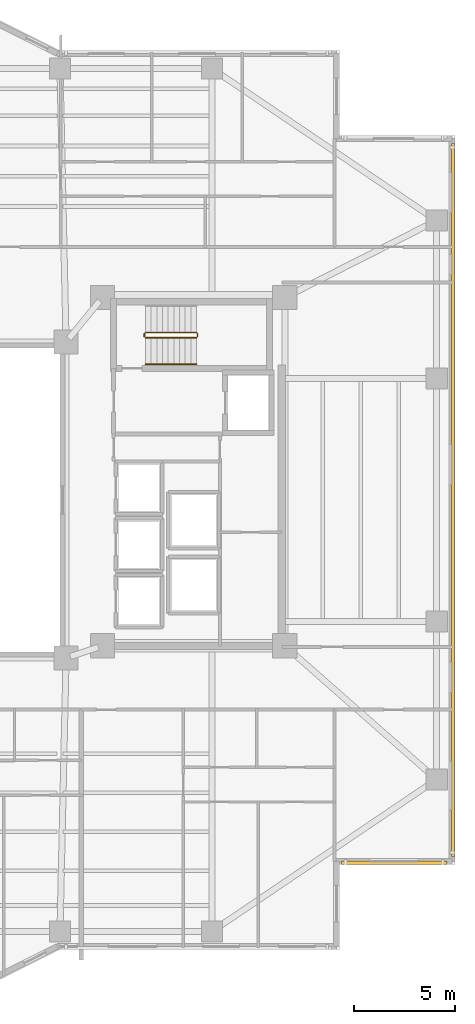
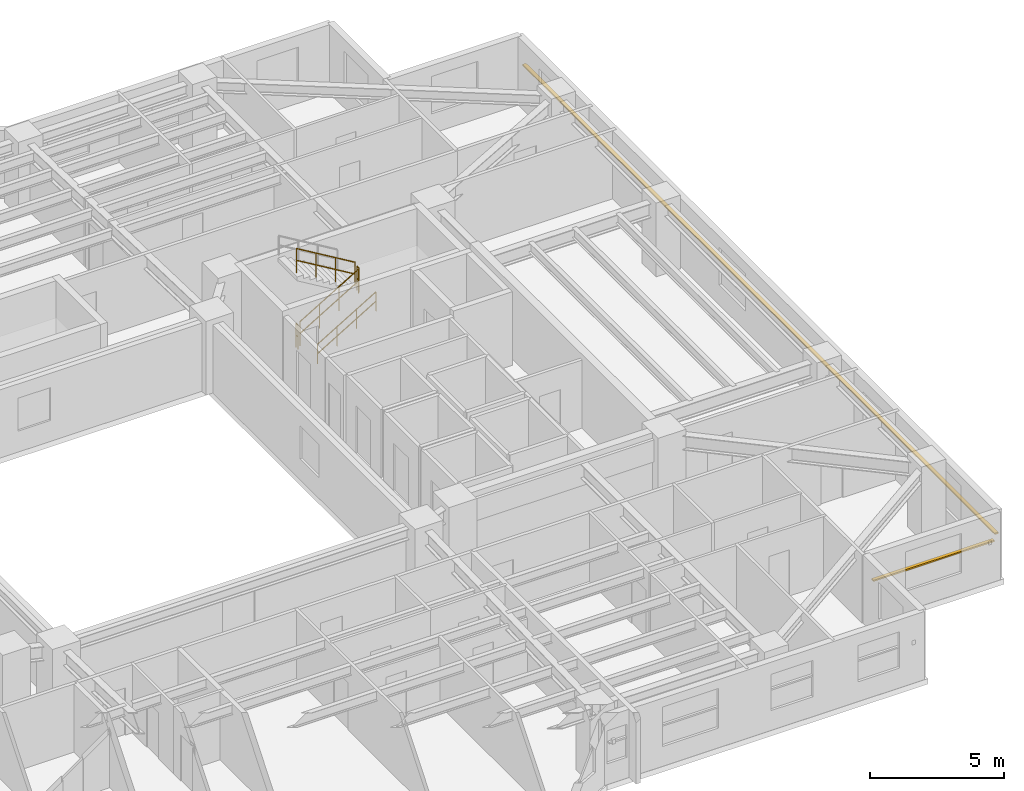
# One storey, part 16 of 18: 5 railings, 2 shading devices.
"""IFC4 building model written with IfcOpenShell, lengths in metres."""

from ifc_helpers import new_model, si_unit, direction, frame, origin, origin_2d, place, context, subcontext, project, spatial, rectangle, circle, extrude, material, material_profile, profile_set, type_object, element, save


model = new_model("IFC4")

# Units and contexts
model_context = context("Model", 3, precision=1e-05, world=origin(), true_north=direction((0.0, 1.0)))
body_context = subcontext(model_context, "Body", "Model", "MODEL_VIEW")
ifc_project = project(units=[si_unit("LENGTHUNIT", "METRE"), si_unit("AREAUNIT", "SQUARE_METRE"), si_unit("VOLUMEUNIT", "CUBIC_METRE"), si_unit("PLANEANGLEUNIT", "RADIAN"), si_unit("MASSUNIT", "GRAM", prefix="KILO")], contexts=[model_context])

# Site, building, storey
site_placement = place(None, origin())
site = spatial("IfcSite", under=ifc_project, at=site_placement, CompositionType="ELEMENT")
building_placement = place(site_placement, origin())
building = spatial("IfcBuilding", under=site, at=building_placement, Name="Tarnavaz Court Tower", CompositionType="ELEMENT")
storey_placement = place(building_placement, frame((0.0, 0.0, 85.0)))
storey = spatial("IfcBuildingStorey", under=building, at=storey_placement, Name="L22", CompositionType="ELEMENT", Elevation=85.0)

# Railings
ifc_material_1 = material(Name="Brushed Stainless Steel", Category="steel")
railing_type_1 = type_object("IfcRailingType", Name="RL-HANDRAIL-900", PredefinedType="HANDRAIL", material=ifc_material_1)
railing_1_placement = place(storey_placement, frame((11.719970703125, 6.699951171875, 0.16748046875)))
element("IfcRailing", 1, at=railing_1_placement, inside=storey, type_object=railing_type_1, Name="L22 ST-E1 stair handrail 1", PredefinedType="HANDRAIL", context=body_context, shape_type="SweptSolid", body=[
    extrude(circle(Radius=0.02392578125, at=origin_2d()), frame((0.0, 0.0, 0.8759765625), z_axis=(0.858159760407, 0.0, 0.513382728203), x_axis=(0.0, 1.0, 0.0)), (0.0, 0.0, 1.0), 2.9365234375),
    extrude(circle(Radius=0.02392578125, at=origin_2d()), frame((0.0, 0.0, 0.449951171875), z_axis=(0.858159760407, 0.0, 0.513382728203), x_axis=(0.0, 1.0, 0.0)), (0.0, 0.0, 1.0), 2.9365234375),
    extrude(circle(Radius=0.02099609375, at=origin_2d()), origin(), (0.0, 0.0, 1.0), 0.851806640625),
    extrude(circle(Radius=0.02099609375, at=origin_2d()), frame((0.840087890625, 0.0, 0.50244140625)), (0.0, 0.0, 1.0), 0.851806640625),
    extrude(circle(Radius=0.02099609375, at=origin_2d()), frame((1.679931640625, 0.0, 1.005126953125)), (0.0, 0.0, 1.0), 0.851806640625),
    extrude(circle(Radius=0.02099609375, at=origin_2d()), frame((2.52001953125, 0.0, 1.507568359375)), (0.0, 0.0, 1.0), 0.851806640625),
])
ifc_material_2 = material(Name="Galvanized Painted Tubular Steel", Category="steel")
railing_type_2 = type_object("IfcRailingType", Name="RL-STGUARD-1120", PredefinedType="GUARDRAIL", material=ifc_material_2)
railing_2_placement = place(storey_placement, frame((11.719970703125, 8.02001953125, 0.16748046875)))
element("IfcRailing", 2, at=railing_2_placement, inside=storey, type_object=railing_type_2, Name="L22 ST-E1 stair guard 1", PredefinedType="GUARDRAIL", context=body_context, shape_type="SweptSolid", body=[
    extrude(circle(Radius=0.02392578125, at=origin_2d()), frame((0.0, 0.0, 1.09619140625), z_axis=(0.858159760407, 0.0, 0.513382728203), x_axis=(0.0, 1.0, 0.0)), (0.0, 0.0, 1.0), 2.9365234375),
    extrude(circle(Radius=0.02392578125, at=origin_2d()), frame((0.0, 0.0, 0.56005859375), z_axis=(0.858159760407, 0.0, 0.513382728203), x_axis=(0.0, 1.0, 0.0)), (0.0, 0.0, 1.0), 2.9365234375),
    extrude(circle(Radius=0.02099609375, at=origin_2d()), origin(), (0.0, 0.0, 1.0), 1.072021484375),
    extrude(circle(Radius=0.02099609375, at=origin_2d()), frame((0.840087890625, 0.0, 0.50244140625)), (0.0, 0.0, 1.0), 1.072021484375),
    extrude(circle(Radius=0.02099609375, at=origin_2d()), frame((1.679931640625, 0.0, 1.005126953125)), (0.0, 0.0, 1.0), 1.072021484375),
    extrude(circle(Radius=0.02099609375, at=origin_2d()), frame((2.52001953125, 0.0, 1.507568359375)), (0.0, 0.0, 1.0), 1.072021484375),
])
railing_3_placement = place(storey_placement, frame((14.2900390625, 8.070068359375, 1.675048828125)))
element("IfcRailing", 3, at=railing_3_placement, inside=storey, type_object=railing_type_2, Name="L22 ST-E1 stair guard 2", PredefinedType="GUARDRAIL", context=body_context, shape_type="SweptSolid", body=[
    extrude(circle(Radius=0.02392578125, at=origin_2d()), frame((0.0, 0.0, 1.09619140625), z_axis=(0.0, 1.0, 0.0), x_axis=(-1.0, 0.0, 0.0)), (0.0, 0.0, 1.0), 0.14990234375),
    extrude(circle(Radius=0.02392578125, at=origin_2d()), frame((0.0, 0.0, 0.56005859375), z_axis=(0.0, 1.0, 0.0), x_axis=(-1.0, 0.0, 0.0)), (0.0, 0.0, 1.0), 0.14990234375),
    extrude(circle(Radius=0.02099609375, at=origin_2d()), origin(), (0.0, 0.0, 1.0), 1.072021484375),
    extrude(circle(Radius=0.02099609375, at=origin_2d()), frame((0.0, 0.14990234375, 0.0)), (0.0, 0.0, 1.0), 1.072021484375),
])
railing_4_placement = place(storey_placement, frame((14.239990234375, 8.27001953125, 1.842529296875)))
element("IfcRailing", 4, at=railing_4_placement, inside=storey, type_object=railing_type_2, Name="L22 ST-E1 stair guard 3", PredefinedType="GUARDRAIL", context=body_context, shape_type="SweptSolid", body=[
    extrude(circle(Radius=0.02392578125, at=origin_2d()), frame((0.0, 0.0, 1.09619140625), z_axis=(-0.858159760407, 0.0, 0.513382728203), x_axis=(0.0, -1.0, 0.0)), (0.0, 0.0, 1.0), 2.9365234375),
    extrude(circle(Radius=0.02392578125, at=origin_2d()), frame((0.0, 0.0, 0.56005859375), z_axis=(-0.858159760407, 0.0, 0.513382728203), x_axis=(0.0, -1.0, 0.0)), (0.0, 0.0, 1.0), 2.9365234375),
    extrude(circle(Radius=0.02099609375, at=origin_2d()), origin(), (0.0, 0.0, 1.0), 1.072021484375),
    extrude(circle(Radius=0.02099609375, at=origin_2d()), frame((-0.840087890625, 0.0, 0.50244140625)), (0.0, 0.0, 1.0), 1.072021484375),
    extrude(circle(Radius=0.02099609375, at=origin_2d()), frame((-1.679931640625, 0.0, 1.005126953125)), (0.0, 0.0, 1.0), 1.072021484375),
    extrude(circle(Radius=0.02099609375, at=origin_2d()), frame((-2.52001953125, 0.0, 1.507568359375)), (0.0, 0.0, 1.0), 1.072021484375),
])
railing_5_placement = place(storey_placement, frame((11.669921875, 8.070068359375, 0.0)))
element("IfcRailing", 5, at=railing_5_placement, inside=storey, type_object=railing_type_2, Name="L22 ST-E1 stair guard 4", PredefinedType="GUARDRAIL", context=body_context, shape_type="SweptSolid", body=[
    extrude(circle(Radius=0.02392578125, at=origin_2d()), frame((0.0, 0.0, 1.09619140625), z_axis=(0.0, 1.0, 0.0), x_axis=(-1.0, 0.0, 0.0)), (0.0, 0.0, 1.0), 0.14990234375),
    extrude(circle(Radius=0.02392578125, at=origin_2d()), frame((0.0, 0.0, 0.56005859375), z_axis=(0.0, 1.0, 0.0), x_axis=(-1.0, 0.0, 0.0)), (0.0, 0.0, 1.0), 0.14990234375),
    extrude(circle(Radius=0.02099609375, at=origin_2d()), origin(), (0.0, 0.0, 1.0), 1.072021484375),
    extrude(circle(Radius=0.02099609375, at=origin_2d()), frame((0.0, 0.14990234375, 0.0)), (0.0, 0.0, 1.0), 1.072021484375),
])

# Shading devices
ifc_material_3 = material(Name="Kiln-Fired Khorasan Terracotta Ceramic", Category="masonry")
ifc_material_profile = material_profile(ifc_material_3, rectangle(XDim=0.14990234375, YDim=0.06494140625, at=origin_2d()), Name="TC BAGUETTE 150X65")
ifc_profile_set = profile_set([ifc_material_profile], Name="Kiln-Fired Khorasan Terracotta Ceramic")
shading_device_type = type_object("IfcShadingDeviceType", Name="SD-BAG-150", PredefinedType="USERDEFINED", material=ifc_profile_set)
shading_device_1_placement = place(storey_placement, frame((26.909912109375, 17.60009765625, 1.85009765625), z_axis=(0.0, -1.0, 0.0), x_axis=(1.0, 0.0, 0.0)))
element("IfcShadingDevice", 6, at=shading_device_1_placement, inside=storey, type_object=shading_device_type, Name="L22 Terracotta Baguette Screen FBG12", ObjectType="BAGUETTE", PredefinedType="USERDEFINED", context=body_context, shape_type="SweptSolid", body=[
    extrude(rectangle(XDim=0.14990234375, YDim=0.06494140625, at=origin_2d()), origin(), (0.0, 0.0, 1.0), 35.2001953125),
])
shading_device_2_placement = place(storey_placement, frame((26.60009765625, -17.909912109375, 1.85009765625), z_axis=(-1.0, 0.0, 0.0), x_axis=(0.0, -1.0, 0.0)))
element("IfcShadingDevice", 7, at=shading_device_2_placement, inside=storey, type_object=shading_device_type, Name="L22 Terracotta Baguette Screen FBG13", ObjectType="BAGUETTE", PredefinedType="USERDEFINED", context=body_context, shape_type="SweptSolid", body=[
    extrude(rectangle(XDim=0.14990234375, YDim=0.06494140625, at=origin_2d()), origin(), (0.0, 0.0, 1.0), 5.2001953125),
])

save(model, "model.ifc")
